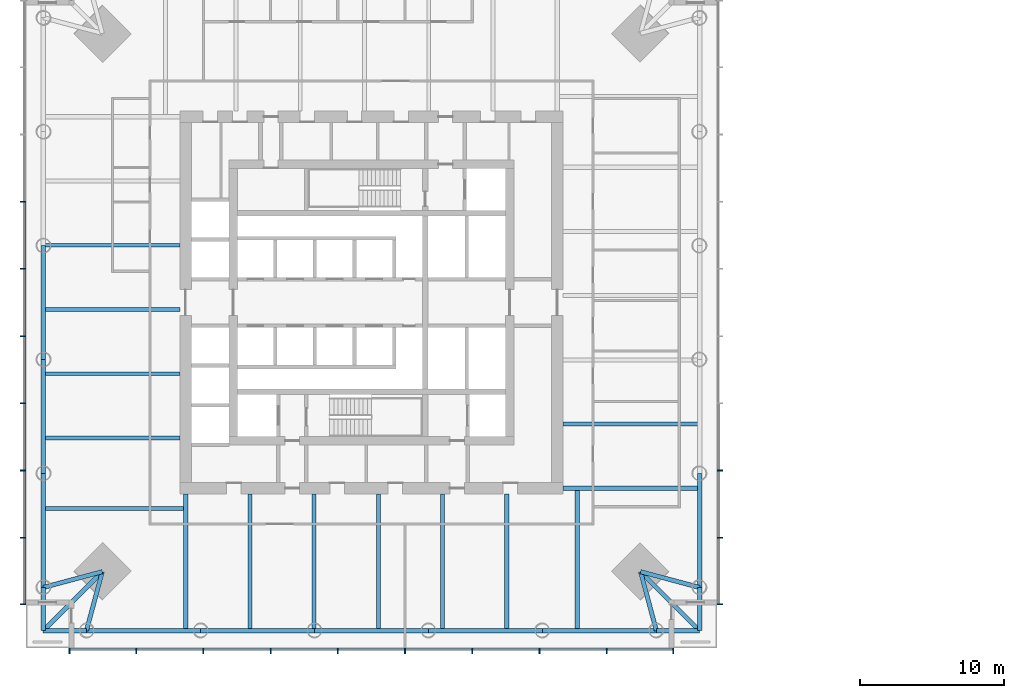
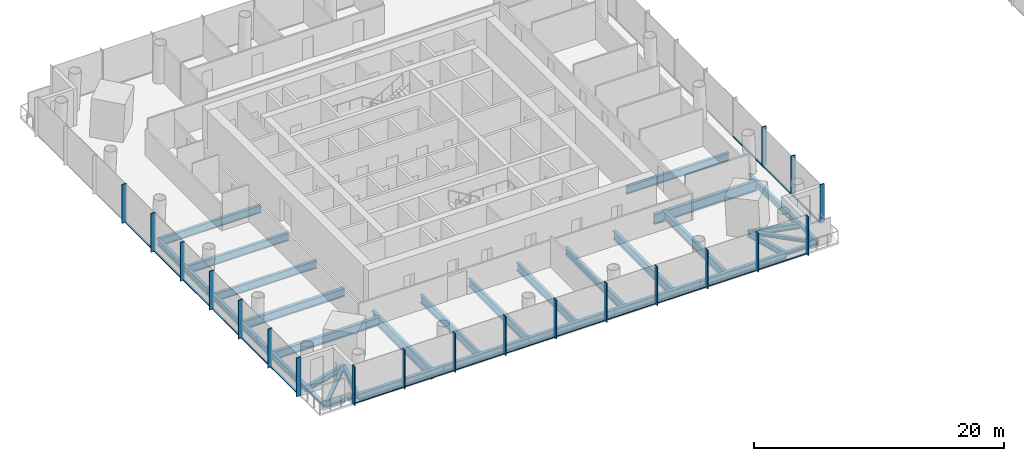
# One storey, part 2 of 21: 38 members, 33 beams, 3 elements without a shape of their own.
"""IFC4 building model written with IfcOpenShell, lengths in metres."""

import ifcopenshell
import ifcopenshell.guid

model = None  # the IFC model being written
_history = None  # IfcOwnerHistory: only IFC2X3 demands one
_inside = {}  # id of a spatial element -> (the spatial element, [elements in it])
_under = {}  # id of a project, library or spatial element -> (it, [spatial elements below it])
_declared = {}  # id of a project -> (the project, [libraries it declares])
_typed = {}  # id of a type object -> (the type object, [elements of that type])
_made_of = {}  # id of a material, layer set ... -> (it, [elements and type objects made of it])


def new_model(schema):
    """Start an empty IFC model of exactly this schema.

    Asked for "IFC4X3", IfcOpenShell would pick the latest addendum, in which some entities
    have other attributes; the version numbers below select the first issue.
    IFC2X3 requires an IfcOwnerHistory on every rooted entity: one is made here for all.
    """
    global model, _history
    if schema == "IFC4X3":
        model = ifcopenshell.file(schema_version=(4, 3, 0, 0))
    else:
        model = ifcopenshell.file(schema=schema)
    _inside.clear()
    _under.clear()
    _declared.clear()
    _typed.clear()
    _made_of.clear()
    _history = None
    if model.schema == "IFC2X3":
        org = make("IfcOrganization", Name="unknown")
        user = make(
            "IfcPersonAndOrganization",
            ThePerson=make("IfcPerson", FamilyName="unknown"),
            TheOrganization=org,
        )
        app = make(
            "IfcApplication",
            ApplicationDeveloper=org,
            Version="unknown",
            ApplicationFullName="unknown",
            ApplicationIdentifier="unknown",
        )
        _history = make(
            "IfcOwnerHistory",
            OwningUser=user,
            OwningApplication=app,
            ChangeAction="ADDED",
            CreationDate=0,
        )
    return model


def make(cls, **values):
    """One entity of the class cls with the attributes given. An attribute that is None is left unset."""
    return model.create_entity(
        cls, **{name: value for name, value in values.items() if value is not None}
    )


def rooted(cls, **values):
    """An entity with a GlobalId (a new one), such as an element, a storey or a relation."""
    return make(cls, GlobalId=ifcopenshell.guid.new(), OwnerHistory=_history, **values)


def si_unit(unit_type, name, prefix=None):
    """IfcSIUnit, for example si_unit("LENGTHUNIT", "METRE", prefix="MILLI")."""
    return make("IfcSIUnit", UnitType=unit_type, Prefix=prefix, Name=name)


def assignment(units):
    """IfcUnitAssignment: the units of a project."""
    return None if units is None else make("IfcUnitAssignment", Units=units)


def point(xyz):
    """IfcCartesianPoint."""
    return None if xyz is None else make("IfcCartesianPoint", Coordinates=xyz)


def direction(xyz):
    """IfcDirection."""
    return None if xyz is None else make("IfcDirection", DirectionRatios=xyz)


def frame(location, z_axis=None, x_axis=None):
    """IfcAxis2Placement3D, a coordinate frame: its origin and axes. An axis left out is left unset."""
    return make(
        "IfcAxis2Placement3D",
        Location=point(location),
        Axis=direction(z_axis),
        RefDirection=direction(x_axis),
    )


def frame_2d(location, x_axis=None):
    """IfcAxis2Placement2D, a coordinate frame in the plane: its origin and x axis."""
    return make(
        "IfcAxis2Placement2D", Location=point(location), RefDirection=direction(x_axis)
    )


def origin():
    """The frame at (0, 0, 0) with its axes left unset."""
    return frame((0.0, 0.0, 0.0))


def origin_2d():
    """The frame at (0, 0) in the plane with its x axis left unset."""
    return frame_2d((0.0, 0.0))


def place(relative_to, where):
    """IfcLocalPlacement: puts the frame where relative to a parent placement (None: the world)."""
    return make(
        "IfcLocalPlacement", PlacementRelTo=relative_to, RelativePlacement=where
    )


def context(
    kind, dimensions, precision=None, world=None, true_north=None, identifier=None
):
    """IfcGeometricRepresentationContext, for example the 3D "Model" context."""
    return make(
        "IfcGeometricRepresentationContext",
        ContextIdentifier=identifier,
        ContextType=kind,
        CoordinateSpaceDimension=dimensions,
        Precision=precision,
        WorldCoordinateSystem=world,
        TrueNorth=true_north,
    )


def subcontext(parent, identifier, kind, view, scale=None):
    """IfcGeometricRepresentationSubContext, for example "Body" below "Model"."""
    return make(
        "IfcGeometricRepresentationSubContext",
        ContextIdentifier=identifier,
        ContextType=kind,
        ParentContext=parent,
        TargetScale=scale,
        TargetView=view,
    )


def project(units=None, contexts=None):
    """IfcProject with its units and contexts."""
    return rooted(
        "IfcProject",
        Name="project",
        RepresentationContexts=contexts,
        UnitsInContext=assignment(units),
    )


def spatial(cls, under=None, at=None, **own):
    """A site, building, storey or space (cls), placed at a placement, below another one or the project."""
    s = rooted(cls, ObjectPlacement=at, **own)
    if under is not None:
        _under.setdefault(under.id(), (under, []))[1].append(s)
    return s


def profile(cls, at=None, kind="AREA", **sizes):
    """A parametric profile (cls). Its sizes go by their IFC names, for example OverallWidth=200.0."""
    return make(cls, ProfileType=kind, Position=at, **sizes)


def rectangle(**sizes):
    """IfcRectangleProfileDef."""
    return profile("IfcRectangleProfileDef", **sizes)


def i_section(**sizes):
    """IfcIShapeProfileDef."""
    return profile("IfcIShapeProfileDef", **sizes)


def extrude(swept, where, along, depth):
    """IfcExtrudedAreaSolid: the profile swept, set in the frame where, extruded along a direction by depth."""
    return make(
        "IfcExtrudedAreaSolid",
        SweptArea=swept,
        Position=where,
        ExtrudedDirection=direction(along),
        Depth=depth,
    )


def shape(context_of_items, identifier, shape_type, items):
    """IfcShapeRepresentation: the items that make up one representation, for example the "Body"."""
    return make(
        "IfcShapeRepresentation",
        ContextOfItems=context_of_items,
        RepresentationIdentifier=identifier,
        RepresentationType=shape_type,
        Items=items,
    )


def material(Name=None, Category=None):
    """IfcMaterial."""
    return make("IfcMaterial", Name=Name, Category=Category)


def material_profile(
    of_material, cross_section, Name=None, Category=None, Priority=None
):
    """IfcMaterialProfile: a cross section and its material."""
    return make(
        "IfcMaterialProfile",
        Name=Name,
        Material=of_material,
        Profile=cross_section,
        Priority=Priority,
        Category=Category,
    )


def profile_set(profiles, Name=None, composite=None):
    """IfcMaterialProfileSet."""
    return make(
        "IfcMaterialProfileSet",
        Name=Name,
        MaterialProfiles=profiles,
        CompositeProfile=composite,
    )


def made_of(thing, what):
    """Note that an element or type object is made of a material, layer set ...; save() writes the relation."""
    if what is not None:
        _made_of.setdefault(what.id(), (what, []))[1].append(thing)
    return thing


def type_object(cls, material=None, **own):
    """A type object (cls), such as IfcWallType, which elements share."""
    return made_of(rooted(cls, **own), material)


def element(
    cls,
    number,
    at=None,
    inside=None,
    cuts=None,
    type_object=None,
    material=None,
    context=None,
    identifier="Body",
    shape_type=None,
    held_by="IfcProductDefinitionShape",
    body=None,
    shapes=None,
    **own,
):
    """One element of the class cls, such as IfcWall. Its Tag is "e" and its number.

    at: its placement. inside: the storey or other place that contains it. cuts: it is an
    opening in that element (IfcRelVoidsElement). A single representation is given by context,
    identifier, shape_type and body (its items); several are given by shapes. held_by: the class
    of the entity that holds the representations. save() writes the other relations.
    """
    e = rooted(cls, Tag="e%d" % number, ObjectPlacement=at, **own)
    if body is not None:
        shapes = [shape(context, identifier, shape_type, body)]
    if shapes is not None:
        e.Representation = make(held_by, Representations=shapes)
    if inside is not None:
        _inside.setdefault(inside.id(), (inside, []))[1].append(e)
    if cuts is not None:
        rooted(
            "IfcRelVoidsElement", RelatingBuildingElement=cuts, RelatedOpeningElement=e
        )
    if type_object is not None:
        _typed.setdefault(type_object.id(), (type_object, []))[1].append(e)
    return made_of(e, material)


def aggregate(whole, parts):
    """IfcRelAggregates: a whole, such as a stair, and the parts it consists of."""
    return rooted("IfcRelAggregates", RelatingObject=whole, RelatedObjects=parts)


def save(model, path):
    """Write the relations noted so far, then the file.

    IfcRelAggregates (storeys below a building ...), IfcRelContainedInSpatialStructure (elements
    in a storey), IfcRelDefinesByType, IfcRelAssociatesMaterial and IfcRelDeclares: one each for
    every whole, place, type object, material and project.
    """
    for whole, parts in _under.values():
        aggregate(whole, parts)
    for where, things in _inside.values():
        rooted(
            "IfcRelContainedInSpatialStructure",
            RelatedElements=things,
            RelatingStructure=where,
        )
    for kind, things in _typed.values():
        rooted("IfcRelDefinesByType", RelatedObjects=things, RelatingType=kind)
    for what, things in _made_of.values():
        rooted("IfcRelAssociatesMaterial", RelatedObjects=things, RelatingMaterial=what)
    for by, libraries in _declared.values():
        rooted("IfcRelDeclares", RelatingContext=by, RelatedDefinitions=libraries)
    model.write(path)


model = new_model("IFC4")

# Units and contexts
model_context = context("Model", 3, precision=1e-05, world=origin(), true_north=direction((0.0, 1.0)))
body_context = subcontext(model_context, "Body", "Model", "MODEL_VIEW")
ifc_project = project(units=[si_unit("LENGTHUNIT", "METRE"), si_unit("AREAUNIT", "SQUARE_METRE"), si_unit("VOLUMEUNIT", "CUBIC_METRE"), si_unit("PLANEANGLEUNIT", "RADIAN"), si_unit("MASSUNIT", "GRAM", prefix="KILO")], contexts=[model_context])

# Site, building, storey
site_placement = place(None, origin())
site = spatial("IfcSite", under=ifc_project, at=site_placement, CompositionType="ELEMENT")
building_placement = place(site_placement, origin())
building = spatial("IfcBuilding", under=site, at=building_placement, Name="Ostroluk Exchange", CompositionType="ELEMENT")
storey_placement = place(building_placement, frame((0.0, 0.0, 59.0)))
storey = spatial("IfcBuildingStorey", under=building, at=storey_placement, Name="L14", CompositionType="ELEMENT", Elevation=59.0)

# Beams
ifc_material_1 = material(Name="Steel S355", Category="steel")
ifc_material_profile_1 = material_profile(ifc_material_1, i_section(OverallWidth=0.300048828125, OverallDepth=0.300048828125, WebThickness=0.010986328125, FlangeThickness=0.01904296875, FilletRadius=0.027099609375, at=origin_2d()), Name="HEB 300")
ifc_profile_set_1 = profile_set([ifc_material_profile_1], Name="Steel S355")
beam_type_1 = type_object("IfcBeamType", Name="Balcony beam HEB 300", PredefinedType="BEAM", material=ifc_profile_set_1)
for number, where, z_axis, x_axis, name in (
    (1, (22.21435546875, 26.21435546875, -0.330078125), (0.0, -1.0, 0.0), (1.0, 0.0, 0.0), "T1 west balcony beam a"),
    (2, (25.21435546875, 23.21435546875, -0.330078125), (-1.0, 0.0, 0.0), (0.0, -1.0, 0.0), "T1 west balcony beam b"),
):
    element("IfcBeam", number, at=place(storey_placement, frame(where, z_axis=z_axis, x_axis=x_axis)), inside=storey, type_object=beam_type_1, Name=name, PredefinedType="BEAM", context=body_context, shape_type="SweptSolid", body=[
        extrude(i_section(OverallWidth=0.300048828125, OverallDepth=0.300048828125, WebThickness=0.010986328125, FlangeThickness=0.01904296875, FilletRadius=0.027099609375, at=origin_2d()), origin(), (0.0, 0.0, 1.0), 3.0),
    ])
beam_1_placement = place(storey_placement, frame((26.314208984375, 27.314208984375, -0.330078125), z_axis=(-0.707106781187, -0.707106781187, 0.0), x_axis=(0.707106781187, -0.707106781187, 0.0)))
element("IfcBeam", 3, at=beam_1_placement, inside=storey, type_object=beam_type_1, Name="T1 west balcony beam c", PredefinedType="BEAM", context=body_context, shape_type="SweptSolid", body=[
    extrude(i_section(OverallWidth=0.300048828125, OverallDepth=0.300048828125, WebThickness=0.010986328125, FlangeThickness=0.01904296875, FilletRadius=0.027099609375, at=origin_2d()), origin(), (0.0, 0.0, 1.0), 5.798095703125),
])
for number, where, z_axis, x_axis, name in (
    (4, (64.78564453125, 23.21435546875, -0.330078125), (1.0, 0.0, 0.0), (0.0, 1.0, 0.0), "T1 south balcony beam a"),
    (5, (67.78564453125, 26.21435546875, -0.330078125), (0.0, -1.0, 0.0), (1.0, 0.0, 0.0), "T1 south balcony beam b"),
):
    element("IfcBeam", number, at=place(storey_placement, frame(where, z_axis=z_axis, x_axis=x_axis)), inside=storey, type_object=beam_type_1, Name=name, PredefinedType="BEAM", context=body_context, shape_type="SweptSolid", body=[
        extrude(i_section(OverallWidth=0.300048828125, OverallDepth=0.300048828125, WebThickness=0.010986328125, FlangeThickness=0.01904296875, FilletRadius=0.027099609375, at=origin_2d()), origin(), (0.0, 0.0, 1.0), 3.0),
    ])
beam_2_placement = place(storey_placement, frame((63.685791015625, 27.314208984375, -0.330078125), z_axis=(0.707106781187, -0.707106781187, 0.0), x_axis=(0.707106781187, 0.707106781187, 0.0)))
element("IfcBeam", 6, at=beam_2_placement, inside=storey, type_object=beam_type_1, Name="T1 south balcony beam c", PredefinedType="BEAM", context=body_context, shape_type="SweptSolid", body=[
    extrude(i_section(OverallWidth=0.300048828125, OverallDepth=0.300048828125, WebThickness=0.010986328125, FlangeThickness=0.01904296875, FilletRadius=0.027099609375, at=origin_2d()), origin(), (0.0, 0.0, 1.0), 5.798095703125),
])
ifc_material_2 = material(Name="Steel S355", Category="steel")
ifc_material_profile_2 = material_profile(ifc_material_2, i_section(OverallWidth=0.300048828125, OverallDepth=0.550048828125, WebThickness=0.014892578125, FlangeThickness=0.029052734375, FilletRadius=0.027099609375, at=origin_2d()), Name="HEB 550")
ifc_profile_set_2 = profile_set([ifc_material_profile_2], Name="Steel S355")
beam_type_2 = type_object("IfcBeamType", Name="Corner edge beam HEB 550", PredefinedType="SPANDREL", material=ifc_profile_set_2)
for number, where, z_axis, x_axis, name in (
    (7, (26.314208984375, 27.314208984375, -0.455078125), (-0.965849156574, -0.259105011038, 0.0), (0.259105011038, -0.965849156574, 0.0), "T1 west corner edge beam a"),
    (8, (26.314208984375, 27.314208984375, -0.455078125), (-0.259105011038, -0.965849156574, 0.0), (0.965849156574, -0.259105011038, 0.0), "T1 west corner edge beam b"),
    (9, (63.685791015625, 27.314208984375, -0.455078125), (0.259105011038, -0.965849156574, 0.0), (0.965849156574, 0.259105011038, 0.0), "T1 south corner edge beam a"),
    (10, (63.685791015625, 27.314208984375, -0.455078125), (0.965849156574, -0.259105011038, 0.0), (0.259105011038, 0.965849156574, 0.0), "T1 south corner edge beam b"),
):
    element("IfcBeam", number, at=place(storey_placement, frame(where, z_axis=z_axis, x_axis=x_axis)), inside=storey, type_object=beam_type_2, Name=name, PredefinedType="SPANDREL", context=body_context, shape_type="SweptSolid", body=[
        extrude(i_section(OverallWidth=0.300048828125, OverallDepth=0.550048828125, WebThickness=0.014892578125, FlangeThickness=0.029052734375, FilletRadius=0.027099609375, at=origin_2d()), origin(), (0.0, 0.0, 1.0), 4.244873046875),
    ])
ifc_material_3 = material(Name="Steel S355", Category="steel")
ifc_material_profile_3 = material_profile(ifc_material_3, i_section(OverallWidth=0.302978515625, OverallDepth=0.81396484375, WebThickness=0.02099609375, FlangeThickness=0.0400390625, FilletRadius=0.030029296875, at=origin_2d()), Name="HEM 800")
ifc_profile_set_3 = profile_set([ifc_material_profile_3], Name="Steel S355")
beam_type_3 = type_object("IfcBeamType", Name="Floor beam HEM 800", PredefinedType="BEAM", material=ifc_profile_set_3)
beam_3_placement = place(storey_placement, frame((31.699951171875, 36.596435546875, -0.5869140625), z_axis=(-1.0, 0.0, 0.0), x_axis=(0.0, -1.0, 0.0)))
element("IfcBeam", 11, at=beam_3_placement, inside=storey, type_object=beam_type_3, Name="T1 west floor beam 5", PredefinedType="BEAM", context=body_context, shape_type="SweptSolid", body=[
    extrude(i_section(OverallWidth=0.302978515625, OverallDepth=0.81396484375, WebThickness=0.02099609375, FlangeThickness=0.0400390625, FilletRadius=0.030029296875, at=origin_2d()), origin(), (0.0, 0.0, 1.0), 9.485595703125),
])
beam_4_placement = place(storey_placement, frame((32.10009765625, 31.699951171875, -0.5869140625), z_axis=(-1.0, 0.0, 0.0), x_axis=(0.0, -1.0, 0.0)))
element("IfcBeam", 12, at=beam_4_placement, inside=storey, type_object=beam_type_3, Name="T1 west floor beam 6", PredefinedType="BEAM", context=body_context, shape_type="SweptSolid", body=[
    extrude(i_section(OverallWidth=0.302978515625, OverallDepth=0.81396484375, WebThickness=0.02099609375, FlangeThickness=0.0400390625, FilletRadius=0.030029296875, at=origin_2d()), origin(), (0.0, 0.0, 1.0), 9.8857421875),
])
beam_5_placement = place(storey_placement, frame((54.403564453125, 32.699951171875, -0.5869140625), z_axis=(0.0, -1.0, 0.0), x_axis=(1.0, 0.0, 0.0)))
element("IfcBeam", 13, at=beam_5_placement, inside=storey, type_object=beam_type_3, Name="T1 south floor beam 5", PredefinedType="BEAM", context=body_context, shape_type="SweptSolid", body=[
    extrude(i_section(OverallWidth=0.302978515625, OverallDepth=0.81396484375, WebThickness=0.02099609375, FlangeThickness=0.0400390625, FilletRadius=0.030029296875, at=origin_2d()), origin(), (0.0, 0.0, 1.0), 9.485595703125),
])
beam_6_placement = place(storey_placement, frame((59.300048828125, 33.10009765625, -0.5869140625), z_axis=(0.0, -1.0, 0.0), x_axis=(1.0, 0.0, 0.0)))
element("IfcBeam", 14, at=beam_6_placement, inside=storey, type_object=beam_type_3, Name="T1 south floor beam 6", PredefinedType="BEAM", context=body_context, shape_type="SweptSolid", body=[
    extrude(i_section(OverallWidth=0.302978515625, OverallDepth=0.81396484375, WebThickness=0.02099609375, FlangeThickness=0.0400390625, FilletRadius=0.030029296875, at=origin_2d()), origin(), (0.0, 0.0, 1.0), 9.8857421875),
])
ifc_material_4 = material(Name="Steel S355", Category="steel")
ifc_material_profile_4 = material_profile(ifc_material_4, i_section(OverallWidth=0.26806640625, OverallDepth=0.77001953125, WebThickness=0.015625, FlangeThickness=0.025390625, FilletRadius=0.01708984375, at=origin_2d()), Name="IPE 750x196")
ifc_profile_set_4 = profile_set([ifc_material_profile_4], Name="Steel S355")
beam_type_4 = type_object("IfcBeamType", Name="Floor beam IPE 750x196", PredefinedType="BEAM", material=ifc_profile_set_4)
for number, where, z_axis, x_axis, name in (
    (15, (58.300048828125, 37.560791015625, -0.56494140625), (1.0, 0.0, 0.0), (0.0, 1.0, 0.0), "T1 east floor beam 1"),
    (16, (31.699951171875, 49.978515625, -0.56494140625), (-1.0, 0.0, 0.0), (0.0, -1.0, 0.0), "T1 west floor beam 2"),
    (17, (31.699951171875, 45.517822265625, -0.56494140625), (-1.0, 0.0, 0.0), (0.0, -1.0, 0.0), "T1 west floor beam 3"),
    (18, (31.699951171875, 41.05712890625, -0.56494140625), (-1.0, 0.0, 0.0), (0.0, -1.0, 0.0), "T1 west floor beam 4"),
    (19, (36.560791015625, 32.699951171875, -0.56494140625), (0.0, -1.0, 0.0), (1.0, 0.0, 0.0), "T1 south floor beam 1"),
    (20, (41.021484375, 32.699951171875, -0.56494140625), (0.0, -1.0, 0.0), (1.0, 0.0, 0.0), "T1 south floor beam 2"),
    (21, (45.482177734375, 32.699951171875, -0.56494140625), (0.0, -1.0, 0.0), (1.0, 0.0, 0.0), "T1 south floor beam 3"),
    (22, (49.94287109375, 32.699951171875, -0.56494140625), (0.0, -1.0, 0.0), (1.0, 0.0, 0.0), "T1 south floor beam 4"),
):
    element("IfcBeam", number, at=place(storey_placement, frame(where, z_axis=z_axis, x_axis=x_axis)), inside=storey, type_object=beam_type_4, Name=name, PredefinedType="BEAM", context=body_context, shape_type="SweptSolid", body=[
        extrude(i_section(OverallWidth=0.26806640625, OverallDepth=0.77001953125, WebThickness=0.015625, FlangeThickness=0.025390625, FilletRadius=0.01708984375, at=origin_2d()), origin(), (0.0, 0.0, 1.0), 9.485595703125),
    ])
ifc_material_5 = material(Name="Steel S355", Category="steel")
ifc_material_profile_5 = material_profile(ifc_material_5, i_section(OverallWidth=0.302001953125, OverallDepth=1.008056640625, WebThickness=0.02099609375, FlangeThickness=0.0400390625, FilletRadius=0.030029296875, at=origin_2d()), Name="HEM 1000")
ifc_profile_set_5 = profile_set([ifc_material_profile_5], Name="Steel S355")
beam_type_5 = type_object("IfcBeamType", Name="Girder HEM 1000", PredefinedType="BEAM", material=ifc_profile_set_5)
for number, where, z_axis, x_axis, name in (
    (23, (32.10009765625, 32.699951171875, -0.68408203125), (0.0, -1.0, 0.0), (1.0, 0.0, 0.0), "T1 west girder"),
    (24, (58.300048828125, 33.10009765625, -0.68408203125), (1.0, 0.0, 0.0), (0.0, 1.0, 0.0), "T1 south girder"),
):
    element("IfcBeam", number, at=place(storey_placement, frame(where, z_axis=z_axis, x_axis=x_axis)), inside=storey, type_object=beam_type_5, Name=name, PredefinedType="BEAM", context=body_context, shape_type="SweptSolid", body=[
        extrude(i_section(OverallWidth=0.302001953125, OverallDepth=1.008056640625, WebThickness=0.02099609375, FlangeThickness=0.0400390625, FilletRadius=0.030029296875, at=origin_2d()), origin(), (0.0, 0.0, 1.0), 9.485595703125),
    ])
ifc_material_6 = material(Name="Steel S355", Category="steel")
ifc_material_profile_6 = material_profile(ifc_material_6, i_section(OverallWidth=0.300048828125, OverallDepth=0.60009765625, WebThickness=0.015380859375, FlangeThickness=0.030029296875, FilletRadius=0.027099609375, at=origin_2d()), Name="HEB 600")
ifc_profile_set_6 = profile_set([ifc_material_profile_6], Name="Steel S355")
beam_type_6 = type_object("IfcBeamType", Name="Moment-connected edge beam HEB 600", PredefinedType="SPANDREL", material=ifc_profile_set_6)
beam_7_placement = place(storey_placement, frame((67.78564453125, 26.21435546875, -0.47998046875), z_axis=(0.0, 1.0, 0.0), x_axis=(-1.0, 0.0, 0.0)))
element("IfcBeam", 25, at=beam_7_placement, inside=storey, type_object=beam_type_6, Name="T1 east edge beam 1", PredefinedType="SPANDREL", context=body_context, shape_type="SweptSolid", body=[
    extrude(i_section(OverallWidth=0.300048828125, OverallDepth=0.60009765625, WebThickness=0.015380859375, FlangeThickness=0.030029296875, FilletRadius=0.027099609375, at=origin_2d()), origin(), (0.0, 0.0, 1.0), 7.914306640625),
])
beam_8_placement = place(storey_placement, frame((22.21435546875, 49.95703125, -0.47998046875), z_axis=(0.0, -1.0, 0.0), x_axis=(1.0, 0.0, 0.0)))
element("IfcBeam", 26, at=beam_8_placement, inside=storey, type_object=beam_type_6, Name="T1 west edge beam 3", PredefinedType="SPANDREL", context=body_context, shape_type="SweptSolid", body=[
    extrude(i_section(OverallWidth=0.300048828125, OverallDepth=0.60009765625, WebThickness=0.015380859375, FlangeThickness=0.030029296875, FilletRadius=0.027099609375, at=origin_2d()), origin(), (0.0, 0.0, 1.0), 7.9140625),
])
for number, where, z_axis, x_axis, name in (
    (27, (22.21435546875, 42.04296875, -0.47998046875), (0.0, -1.0, 0.0), (1.0, 0.0, 0.0), "T1 west edge beam 4"),
    (28, (22.21435546875, 34.128662109375, -0.47998046875), (0.0, -1.0, 0.0), (1.0, 0.0, 0.0), "T1 west edge beam 5"),
    (29, (25.21435546875, 23.21435546875, -0.47998046875), (1.0, 0.0, 0.0), (0.0, 1.0, 0.0), "T1 south edge beam 1"),
    (30, (33.128662109375, 23.21435546875, -0.47998046875), (1.0, 0.0, 0.0), (0.0, 1.0, 0.0), "T1 south edge beam 2"),
):
    element("IfcBeam", number, at=place(storey_placement, frame(where, z_axis=z_axis, x_axis=x_axis)), inside=storey, type_object=beam_type_6, Name=name, PredefinedType="SPANDREL", context=body_context, shape_type="SweptSolid", body=[
        extrude(i_section(OverallWidth=0.300048828125, OverallDepth=0.60009765625, WebThickness=0.015380859375, FlangeThickness=0.030029296875, FilletRadius=0.027099609375, at=origin_2d()), origin(), (0.0, 0.0, 1.0), 7.914306640625),
    ])
beam_9_placement = place(storey_placement, frame((41.04296875, 23.21435546875, -0.47998046875), z_axis=(1.0, 0.0, 0.0), x_axis=(0.0, 1.0, 0.0)))
element("IfcBeam", 31, at=beam_9_placement, inside=storey, type_object=beam_type_6, Name="T1 south edge beam 3", PredefinedType="SPANDREL", context=body_context, shape_type="SweptSolid", body=[
    extrude(i_section(OverallWidth=0.300048828125, OverallDepth=0.60009765625, WebThickness=0.015380859375, FlangeThickness=0.030029296875, FilletRadius=0.027099609375, at=origin_2d()), origin(), (0.0, 0.0, 1.0), 7.9140625),
])
for number, where, z_axis, x_axis, name in (
    (32, (48.95703125, 23.21435546875, -0.47998046875), (1.0, 0.0, 0.0), (0.0, 1.0, 0.0), "T1 south edge beam 4"),
    (33, (56.871337890625, 23.21435546875, -0.47998046875), (1.0, 0.0, 0.0), (0.0, 1.0, 0.0), "T1 south edge beam 5"),
):
    element("IfcBeam", number, at=place(storey_placement, frame(where, z_axis=z_axis, x_axis=x_axis)), inside=storey, type_object=beam_type_6, Name=name, PredefinedType="SPANDREL", context=body_context, shape_type="SweptSolid", body=[
        extrude(i_section(OverallWidth=0.300048828125, OverallDepth=0.60009765625, WebThickness=0.015380859375, FlangeThickness=0.030029296875, FilletRadius=0.027099609375, at=origin_2d()), origin(), (0.0, 0.0, 1.0), 7.914306640625),
    ])

# Curtain wall, members
ifc_material_7 = material(Name="Laminated clear glass", Category="glass")
curtain_wall_type = type_object("IfcCurtainWallType", Name="Office tower facade", PredefinedType="USERDEFINED", material=ifc_material_7)
curtain_wall_1_placement = place(storey_placement, origin())
curtain_wall_1 = element("IfcCurtainWall", 34, at=curtain_wall_1_placement, inside=storey, type_object=curtain_wall_type, Name="Office tower south facade L14", ObjectType="UNITISED CURTAIN WALL", PredefinedType="USERDEFINED")
ifc_material_8 = material(Name="Aluminium mullion", Category="aluminium")
ifc_material_profile_7 = material_profile(ifc_material_8, rectangle(XDim=0.14990234375, YDim=0.080078125, at=origin_2d()), Name="Sill transom 80 x 150")
ifc_profile_set_7 = profile_set([ifc_material_profile_7], Name="Aluminium mullion")
member_type_1 = type_object("IfcMemberType", Name="Sill transom 80 x 150", PredefinedType="USERDEFINED", material=ifc_profile_set_7)
member_1_placement = place(storey_placement, frame((24.080078125, 21.925048828125, 0.0400390625), z_axis=(1.0, 0.0, 0.0), x_axis=(0.0, 1.0, 0.0)))
member_1 = element("IfcMember", 35, at=member_1_placement, type_object=member_type_1, Name="CW-O1 transom 1.1", ObjectType="TRANSOM", PredefinedType="USERDEFINED", context=body_context, shape_type="SweptSolid", body=[
    extrude(rectangle(XDim=0.14990234375, YDim=0.080078125, at=origin_2d()), origin(), (0.0, 0.0, 1.0), 4.546630859375),
])
member_2_placement = place(storey_placement, frame((28.706787109375, 21.925048828125, 0.0400390625), z_axis=(1.0, 0.0, 0.0), x_axis=(0.0, 1.0, 0.0)))
member_2 = element("IfcMember", 36, at=member_2_placement, type_object=member_type_1, Name="CW-O1 transom 2.1", ObjectType="TRANSOM", PredefinedType="USERDEFINED", context=body_context, shape_type="SweptSolid", body=[
    extrude(rectangle(XDim=0.14990234375, YDim=0.080078125, at=origin_2d()), origin(), (0.0, 0.0, 1.0), 4.58642578125),
])
member_3_placement = place(storey_placement, frame((33.373291015625, 21.925048828125, 0.0400390625), z_axis=(1.0, 0.0, 0.0), x_axis=(0.0, 1.0, 0.0)))
member_3 = element("IfcMember", 37, at=member_3_placement, type_object=member_type_1, Name="CW-O1 transom 3.1", ObjectType="TRANSOM", PredefinedType="USERDEFINED", context=body_context, shape_type="SweptSolid", body=[
    extrude(rectangle(XDim=0.14990234375, YDim=0.080078125, at=origin_2d()), origin(), (0.0, 0.0, 1.0), 4.586669921875),
])
member_4_placement = place(storey_placement, frame((38.0400390625, 21.925048828125, 0.0400390625), z_axis=(1.0, 0.0, 0.0), x_axis=(0.0, 1.0, 0.0)))
member_4 = element("IfcMember", 38, at=member_4_placement, type_object=member_type_1, Name="CW-O1 transom 4.1", ObjectType="TRANSOM", PredefinedType="USERDEFINED", context=body_context, shape_type="SweptSolid", body=[
    extrude(rectangle(XDim=0.14990234375, YDim=0.080078125, at=origin_2d()), origin(), (0.0, 0.0, 1.0), 4.586669921875),
])
member_5_placement = place(storey_placement, frame((42.706787109375, 21.925048828125, 0.0400390625), z_axis=(1.0, 0.0, 0.0), x_axis=(0.0, 1.0, 0.0)))
member_5 = element("IfcMember", 39, at=member_5_placement, type_object=member_type_1, Name="CW-O1 transom 5.1", ObjectType="TRANSOM", PredefinedType="USERDEFINED", context=body_context, shape_type="SweptSolid", body=[
    extrude(rectangle(XDim=0.14990234375, YDim=0.080078125, at=origin_2d()), origin(), (0.0, 0.0, 1.0), 4.58642578125),
])
member_6_placement = place(storey_placement, frame((47.373291015625, 21.925048828125, 0.0400390625), z_axis=(1.0, 0.0, 0.0), x_axis=(0.0, 1.0, 0.0)))
member_6 = element("IfcMember", 40, at=member_6_placement, type_object=member_type_1, Name="CW-O1 transom 6.1", ObjectType="TRANSOM", PredefinedType="USERDEFINED", context=body_context, shape_type="SweptSolid", body=[
    extrude(rectangle(XDim=0.14990234375, YDim=0.080078125, at=origin_2d()), origin(), (0.0, 0.0, 1.0), 4.586669921875),
])
member_7_placement = place(storey_placement, frame((52.0400390625, 21.925048828125, 0.0400390625), z_axis=(1.0, 0.0, 0.0), x_axis=(0.0, 1.0, 0.0)))
member_7 = element("IfcMember", 41, at=member_7_placement, type_object=member_type_1, Name="CW-O1 transom 7.1", ObjectType="TRANSOM", PredefinedType="USERDEFINED", context=body_context, shape_type="SweptSolid", body=[
    extrude(rectangle(XDim=0.14990234375, YDim=0.080078125, at=origin_2d()), origin(), (0.0, 0.0, 1.0), 4.586669921875),
])
member_8_placement = place(storey_placement, frame((56.706787109375, 21.925048828125, 0.0400390625), z_axis=(1.0, 0.0, 0.0), x_axis=(0.0, 1.0, 0.0)))
member_8 = element("IfcMember", 42, at=member_8_placement, type_object=member_type_1, Name="CW-O1 transom 8.1", ObjectType="TRANSOM", PredefinedType="USERDEFINED", context=body_context, shape_type="SweptSolid", body=[
    extrude(rectangle(XDim=0.14990234375, YDim=0.080078125, at=origin_2d()), origin(), (0.0, 0.0, 1.0), 4.58642578125),
])
member_9_placement = place(storey_placement, frame((61.373291015625, 21.925048828125, 0.0400390625), z_axis=(1.0, 0.0, 0.0), x_axis=(0.0, 1.0, 0.0)))
member_9 = element("IfcMember", 43, at=member_9_placement, type_object=member_type_1, Name="CW-O1 transom 9.1", ObjectType="TRANSOM", PredefinedType="USERDEFINED", context=body_context, shape_type="SweptSolid", body=[
    extrude(rectangle(XDim=0.14990234375, YDim=0.080078125, at=origin_2d()), origin(), (0.0, 0.0, 1.0), 4.546630859375),
])

curtain_wall_2_placement = place(storey_placement, origin())
curtain_wall_2 = element("IfcCurtainWall", 44, at=curtain_wall_2_placement, inside=storey, type_object=curtain_wall_type, Name="Office tower east facade L14", ObjectType="UNITISED CURTAIN WALL", PredefinedType="USERDEFINED")
member_10_placement = place(storey_placement, frame((69.074951171875, 25.080078125, 0.0400390625), z_axis=(0.0, 1.0, 0.0), x_axis=(-1.0, 0.0, 0.0)))
member_10 = element("IfcMember", 45, at=member_10_placement, type_object=member_type_1, Name="CW-O1 transom 1.1", ObjectType="TRANSOM", PredefinedType="USERDEFINED", context=body_context, shape_type="SweptSolid", body=[
    extrude(rectangle(XDim=0.14990234375, YDim=0.080078125, at=origin_2d()), origin(), (0.0, 0.0, 1.0), 4.546630859375),
])
member_11_placement = place(storey_placement, frame((69.074951171875, 29.706787109375, 0.0400390625), z_axis=(0.0, 1.0, 0.0), x_axis=(-1.0, 0.0, 0.0)))
member_11 = element("IfcMember", 46, at=member_11_placement, type_object=member_type_1, Name="CW-O1 transom 2.1", ObjectType="TRANSOM", PredefinedType="USERDEFINED", context=body_context, shape_type="SweptSolid", body=[
    extrude(rectangle(XDim=0.14990234375, YDim=0.080078125, at=origin_2d()), origin(), (0.0, 0.0, 1.0), 4.58642578125),
])
member_12_placement = place(storey_placement, frame((69.074951171875, 34.373291015625, 0.0400390625), z_axis=(0.0, 1.0, 0.0), x_axis=(-1.0, 0.0, 0.0)))
member_12 = element("IfcMember", 47, at=member_12_placement, type_object=member_type_1, Name="CW-O1 transom 3.1", ObjectType="TRANSOM", PredefinedType="USERDEFINED", context=body_context, shape_type="SweptSolid", body=[
    extrude(rectangle(XDim=0.14990234375, YDim=0.080078125, at=origin_2d()), origin(), (0.0, 0.0, 1.0), 4.586669921875),
])

curtain_wall_3_placement = place(storey_placement, origin())
curtain_wall_3 = element("IfcCurtainWall", 48, at=curtain_wall_3_placement, inside=storey, type_object=curtain_wall_type, Name="Office tower west facade L14", ObjectType="UNITISED CURTAIN WALL", PredefinedType="USERDEFINED")
member_13_placement = place(storey_placement, frame((20.925048828125, 52.9599609375, 0.0400390625), z_axis=(0.0, -1.0, 0.0), x_axis=(1.0, 0.0, 0.0)))
member_13 = element("IfcMember", 49, at=member_13_placement, type_object=member_type_1, Name="CW-O1 transom 4.1", ObjectType="TRANSOM", PredefinedType="USERDEFINED", context=body_context, shape_type="SweptSolid", body=[
    extrude(rectangle(XDim=0.14990234375, YDim=0.080078125, at=origin_2d()), origin(), (0.0, 0.0, 1.0), 4.586669921875),
])
member_14_placement = place(storey_placement, frame((20.925048828125, 48.293212890625, 0.0400390625), z_axis=(0.0, -1.0, 0.0), x_axis=(1.0, 0.0, 0.0)))
member_14 = element("IfcMember", 50, at=member_14_placement, type_object=member_type_1, Name="CW-O1 transom 5.1", ObjectType="TRANSOM", PredefinedType="USERDEFINED", context=body_context, shape_type="SweptSolid", body=[
    extrude(rectangle(XDim=0.14990234375, YDim=0.080078125, at=origin_2d()), origin(), (0.0, 0.0, 1.0), 4.58642578125),
])
member_15_placement = place(storey_placement, frame((20.925048828125, 43.626708984375, 0.0400390625), z_axis=(0.0, -1.0, 0.0), x_axis=(1.0, 0.0, 0.0)))
member_15 = element("IfcMember", 51, at=member_15_placement, type_object=member_type_1, Name="CW-O1 transom 6.1", ObjectType="TRANSOM", PredefinedType="USERDEFINED", context=body_context, shape_type="SweptSolid", body=[
    extrude(rectangle(XDim=0.14990234375, YDim=0.080078125, at=origin_2d()), origin(), (0.0, 0.0, 1.0), 4.586669921875),
])
member_16_placement = place(storey_placement, frame((20.925048828125, 38.9599609375, 0.0400390625), z_axis=(0.0, -1.0, 0.0), x_axis=(1.0, 0.0, 0.0)))
member_16 = element("IfcMember", 52, at=member_16_placement, type_object=member_type_1, Name="CW-O1 transom 7.1", ObjectType="TRANSOM", PredefinedType="USERDEFINED", context=body_context, shape_type="SweptSolid", body=[
    extrude(rectangle(XDim=0.14990234375, YDim=0.080078125, at=origin_2d()), origin(), (0.0, 0.0, 1.0), 4.586669921875),
])
member_17_placement = place(storey_placement, frame((20.925048828125, 34.293212890625, 0.0400390625), z_axis=(0.0, -1.0, 0.0), x_axis=(1.0, 0.0, 0.0)))
member_17 = element("IfcMember", 53, at=member_17_placement, type_object=member_type_1, Name="CW-O1 transom 8.1", ObjectType="TRANSOM", PredefinedType="USERDEFINED", context=body_context, shape_type="SweptSolid", body=[
    extrude(rectangle(XDim=0.14990234375, YDim=0.080078125, at=origin_2d()), origin(), (0.0, 0.0, 1.0), 4.58642578125),
])
member_18_placement = place(storey_placement, frame((20.925048828125, 29.626708984375, 0.0400390625), z_axis=(0.0, -1.0, 0.0), x_axis=(1.0, 0.0, 0.0)))
member_18 = element("IfcMember", 54, at=member_18_placement, type_object=member_type_1, Name="CW-O1 transom 9.1", ObjectType="TRANSOM", PredefinedType="USERDEFINED", context=body_context, shape_type="SweptSolid", body=[
    extrude(rectangle(XDim=0.14990234375, YDim=0.080078125, at=origin_2d()), origin(), (0.0, 0.0, 1.0), 4.546630859375),
])

# Member
ifc_material_9 = material(Name="Aluminium mullion with limestone facing", Category="masonry")
ifc_material_profile_8 = material_profile(ifc_material_9, rectangle(XDim=0.39990234375, YDim=0.080078125, at=origin_2d()), Name="Tracery mullion 80 x 400")
ifc_profile_set_8 = profile_set([ifc_material_profile_8], Name="Aluminium mullion with limestone facing")
member_type_2 = type_object("IfcMemberType", Name="Tracery mullion 80 x 400", PredefinedType="MULLION", material=ifc_profile_set_8)
member_19_placement = place(storey_placement, frame((24.0400390625, 21.800048828125, 0.0), z_axis=(0.0, 0.0, 1.0), x_axis=(0.0, 1.0, 0.0)))
member_19 = element("IfcMember", 55, at=member_19_placement, type_object=member_type_2, Name="CW-O1 mullion 1", PredefinedType="MULLION", context=body_context, shape_type="SweptSolid", body=[
    extrude(rectangle(XDim=0.39990234375, YDim=0.080078125, at=origin_2d()), origin(), (0.0, 0.0, 1.0), 3.800048828125),
])

member_20_placement = place(storey_placement, frame((28.666748046875, 21.800048828125, 0.0), z_axis=(0.0, 0.0, 1.0), x_axis=(0.0, 1.0, 0.0)))
member_20 = element("IfcMember", 56, at=member_20_placement, type_object=member_type_2, Name="CW-O1 mullion 2", PredefinedType="MULLION", context=body_context, shape_type="SweptSolid", body=[
    extrude(rectangle(XDim=0.39990234375, YDim=0.080078125, at=origin_2d()), origin(), (0.0, 0.0, 1.0), 3.800048828125),
])

member_21_placement = place(storey_placement, frame((33.333251953125, 21.800048828125, 0.0), z_axis=(0.0, 0.0, 1.0), x_axis=(0.0, 1.0, 0.0)))
member_21 = element("IfcMember", 57, at=member_21_placement, type_object=member_type_2, Name="CW-O1 mullion 3", PredefinedType="MULLION", context=body_context, shape_type="SweptSolid", body=[
    extrude(rectangle(XDim=0.39990234375, YDim=0.080078125, at=origin_2d()), origin(), (0.0, 0.0, 1.0), 3.800048828125),
])

member_22_placement = place(storey_placement, frame((38.0, 21.800048828125, 0.0), z_axis=(0.0, 0.0, 1.0), x_axis=(0.0, 1.0, 0.0)))
member_22 = element("IfcMember", 58, at=member_22_placement, type_object=member_type_2, Name="CW-O1 mullion 4", PredefinedType="MULLION", context=body_context, shape_type="SweptSolid", body=[
    extrude(rectangle(XDim=0.39990234375, YDim=0.080078125, at=origin_2d()), origin(), (0.0, 0.0, 1.0), 3.800048828125),
])

member_23_placement = place(storey_placement, frame((42.666748046875, 21.800048828125, 0.0), z_axis=(0.0, 0.0, 1.0), x_axis=(0.0, 1.0, 0.0)))
member_23 = element("IfcMember", 59, at=member_23_placement, type_object=member_type_2, Name="CW-O1 mullion 5", PredefinedType="MULLION", context=body_context, shape_type="SweptSolid", body=[
    extrude(rectangle(XDim=0.39990234375, YDim=0.080078125, at=origin_2d()), origin(), (0.0, 0.0, 1.0), 3.800048828125),
])

member_24_placement = place(storey_placement, frame((47.333251953125, 21.800048828125, 0.0), z_axis=(0.0, 0.0, 1.0), x_axis=(0.0, 1.0, 0.0)))
member_24 = element("IfcMember", 60, at=member_24_placement, type_object=member_type_2, Name="CW-O1 mullion 6", PredefinedType="MULLION", context=body_context, shape_type="SweptSolid", body=[
    extrude(rectangle(XDim=0.39990234375, YDim=0.080078125, at=origin_2d()), origin(), (0.0, 0.0, 1.0), 3.800048828125),
])

member_25_placement = place(storey_placement, frame((52.0, 21.800048828125, 0.0), z_axis=(0.0, 0.0, 1.0), x_axis=(0.0, 1.0, 0.0)))
member_25 = element("IfcMember", 61, at=member_25_placement, type_object=member_type_2, Name="CW-O1 mullion 7", PredefinedType="MULLION", context=body_context, shape_type="SweptSolid", body=[
    extrude(rectangle(XDim=0.39990234375, YDim=0.080078125, at=origin_2d()), origin(), (0.0, 0.0, 1.0), 3.800048828125),
])

member_26_placement = place(storey_placement, frame((56.666748046875, 21.800048828125, 0.0), z_axis=(0.0, 0.0, 1.0), x_axis=(0.0, 1.0, 0.0)))
member_26 = element("IfcMember", 62, at=member_26_placement, type_object=member_type_2, Name="CW-O1 mullion 8", PredefinedType="MULLION", context=body_context, shape_type="SweptSolid", body=[
    extrude(rectangle(XDim=0.39990234375, YDim=0.080078125, at=origin_2d()), origin(), (0.0, 0.0, 1.0), 3.800048828125),
])

member_27_placement = place(storey_placement, frame((61.333251953125, 21.800048828125, 0.0), z_axis=(0.0, 0.0, 1.0), x_axis=(0.0, 1.0, 0.0)))
member_27 = element("IfcMember", 63, at=member_27_placement, type_object=member_type_2, Name="CW-O1 mullion 9", PredefinedType="MULLION", context=body_context, shape_type="SweptSolid", body=[
    extrude(rectangle(XDim=0.39990234375, YDim=0.080078125, at=origin_2d()), origin(), (0.0, 0.0, 1.0), 3.800048828125),
])

member_28_placement = place(storey_placement, frame((65.9599609375, 21.800048828125, 0.0), z_axis=(0.0, 0.0, 1.0), x_axis=(0.0, 1.0, 0.0)))
member_28 = element("IfcMember", 64, at=member_28_placement, type_object=member_type_2, Name="CW-O1 mullion 10", PredefinedType="MULLION", context=body_context, shape_type="SweptSolid", body=[
    extrude(rectangle(XDim=0.39990234375, YDim=0.080078125, at=origin_2d()), origin(), (0.0, 0.0, 1.0), 3.800048828125),
])

aggregate(curtain_wall_1, [member_19, member_20, member_21, member_22, member_23, member_24, member_25, member_26, member_27, member_28, member_1, member_2, member_3, member_4, member_5, member_6, member_7, member_8, member_9])

member_29_placement = place(storey_placement, frame((69.199951171875, 25.0400390625, 0.0), z_axis=(0.0, 0.0, 1.0), x_axis=(-1.0, 0.0, 0.0)))
member_29 = element("IfcMember", 65, at=member_29_placement, type_object=member_type_2, Name="CW-O1 mullion 1", PredefinedType="MULLION", context=body_context, shape_type="SweptSolid", body=[
    extrude(rectangle(XDim=0.39990234375, YDim=0.080078125, at=origin_2d()), origin(), (0.0, 0.0, 1.0), 3.800048828125),
])

member_30_placement = place(storey_placement, frame((69.199951171875, 29.666748046875, 0.0), z_axis=(0.0, 0.0, 1.0), x_axis=(-1.0, 0.0, 0.0)))
member_30 = element("IfcMember", 66, at=member_30_placement, type_object=member_type_2, Name="CW-O1 mullion 2", PredefinedType="MULLION", context=body_context, shape_type="SweptSolid", body=[
    extrude(rectangle(XDim=0.39990234375, YDim=0.080078125, at=origin_2d()), origin(), (0.0, 0.0, 1.0), 3.800048828125),
])

member_31_placement = place(storey_placement, frame((69.199951171875, 34.333251953125, 0.0), z_axis=(0.0, 0.0, 1.0), x_axis=(-1.0, 0.0, 0.0)))
member_31 = element("IfcMember", 67, at=member_31_placement, type_object=member_type_2, Name="CW-O1 mullion 3", PredefinedType="MULLION", context=body_context, shape_type="SweptSolid", body=[
    extrude(rectangle(XDim=0.39990234375, YDim=0.080078125, at=origin_2d()), origin(), (0.0, 0.0, 1.0), 3.800048828125),
])

aggregate(curtain_wall_2, [member_29, member_30, member_31, member_10, member_11, member_12])

member_32_placement = place(storey_placement, frame((20.800048828125, 53.0, 0.0), z_axis=(0.0, 0.0, 1.0), x_axis=(1.0, 0.0, 0.0)))
member_32 = element("IfcMember", 68, at=member_32_placement, type_object=member_type_2, Name="CW-O1 mullion 4", PredefinedType="MULLION", context=body_context, shape_type="SweptSolid", body=[
    extrude(rectangle(XDim=0.39990234375, YDim=0.080078125, at=origin_2d()), origin(), (0.0, 0.0, 1.0), 3.800048828125),
])

member_33_placement = place(storey_placement, frame((20.800048828125, 48.333251953125, 0.0), z_axis=(0.0, 0.0, 1.0), x_axis=(1.0, 0.0, 0.0)))
member_33 = element("IfcMember", 69, at=member_33_placement, type_object=member_type_2, Name="CW-O1 mullion 5", PredefinedType="MULLION", context=body_context, shape_type="SweptSolid", body=[
    extrude(rectangle(XDim=0.39990234375, YDim=0.080078125, at=origin_2d()), origin(), (0.0, 0.0, 1.0), 3.800048828125),
])

member_34_placement = place(storey_placement, frame((20.800048828125, 43.666748046875, 0.0), z_axis=(0.0, 0.0, 1.0), x_axis=(1.0, 0.0, 0.0)))
member_34 = element("IfcMember", 70, at=member_34_placement, type_object=member_type_2, Name="CW-O1 mullion 6", PredefinedType="MULLION", context=body_context, shape_type="SweptSolid", body=[
    extrude(rectangle(XDim=0.39990234375, YDim=0.080078125, at=origin_2d()), origin(), (0.0, 0.0, 1.0), 3.800048828125),
])

member_35_placement = place(storey_placement, frame((20.800048828125, 39.0, 0.0), z_axis=(0.0, 0.0, 1.0), x_axis=(1.0, 0.0, 0.0)))
member_35 = element("IfcMember", 71, at=member_35_placement, type_object=member_type_2, Name="CW-O1 mullion 7", PredefinedType="MULLION", context=body_context, shape_type="SweptSolid", body=[
    extrude(rectangle(XDim=0.39990234375, YDim=0.080078125, at=origin_2d()), origin(), (0.0, 0.0, 1.0), 3.800048828125),
])

member_36_placement = place(storey_placement, frame((20.800048828125, 34.333251953125, 0.0), z_axis=(0.0, 0.0, 1.0), x_axis=(1.0, 0.0, 0.0)))
member_36 = element("IfcMember", 72, at=member_36_placement, type_object=member_type_2, Name="CW-O1 mullion 8", PredefinedType="MULLION", context=body_context, shape_type="SweptSolid", body=[
    extrude(rectangle(XDim=0.39990234375, YDim=0.080078125, at=origin_2d()), origin(), (0.0, 0.0, 1.0), 3.800048828125),
])

member_37_placement = place(storey_placement, frame((20.800048828125, 29.666748046875, 0.0), z_axis=(0.0, 0.0, 1.0), x_axis=(1.0, 0.0, 0.0)))
member_37 = element("IfcMember", 73, at=member_37_placement, type_object=member_type_2, Name="CW-O1 mullion 9", PredefinedType="MULLION", context=body_context, shape_type="SweptSolid", body=[
    extrude(rectangle(XDim=0.39990234375, YDim=0.080078125, at=origin_2d()), origin(), (0.0, 0.0, 1.0), 3.800048828125),
])

member_38_placement = place(storey_placement, frame((20.800048828125, 25.0400390625, 0.0), z_axis=(0.0, 0.0, 1.0), x_axis=(1.0, 0.0, 0.0)))
member_38 = element("IfcMember", 74, at=member_38_placement, type_object=member_type_2, Name="CW-O1 mullion 10", PredefinedType="MULLION", context=body_context, shape_type="SweptSolid", body=[
    extrude(rectangle(XDim=0.39990234375, YDim=0.080078125, at=origin_2d()), origin(), (0.0, 0.0, 1.0), 3.800048828125),
])

aggregate(curtain_wall_3, [member_32, member_33, member_34, member_35, member_36, member_37, member_38, member_13, member_14, member_15, member_16, member_17, member_18])

save(model, "model.ifc")
